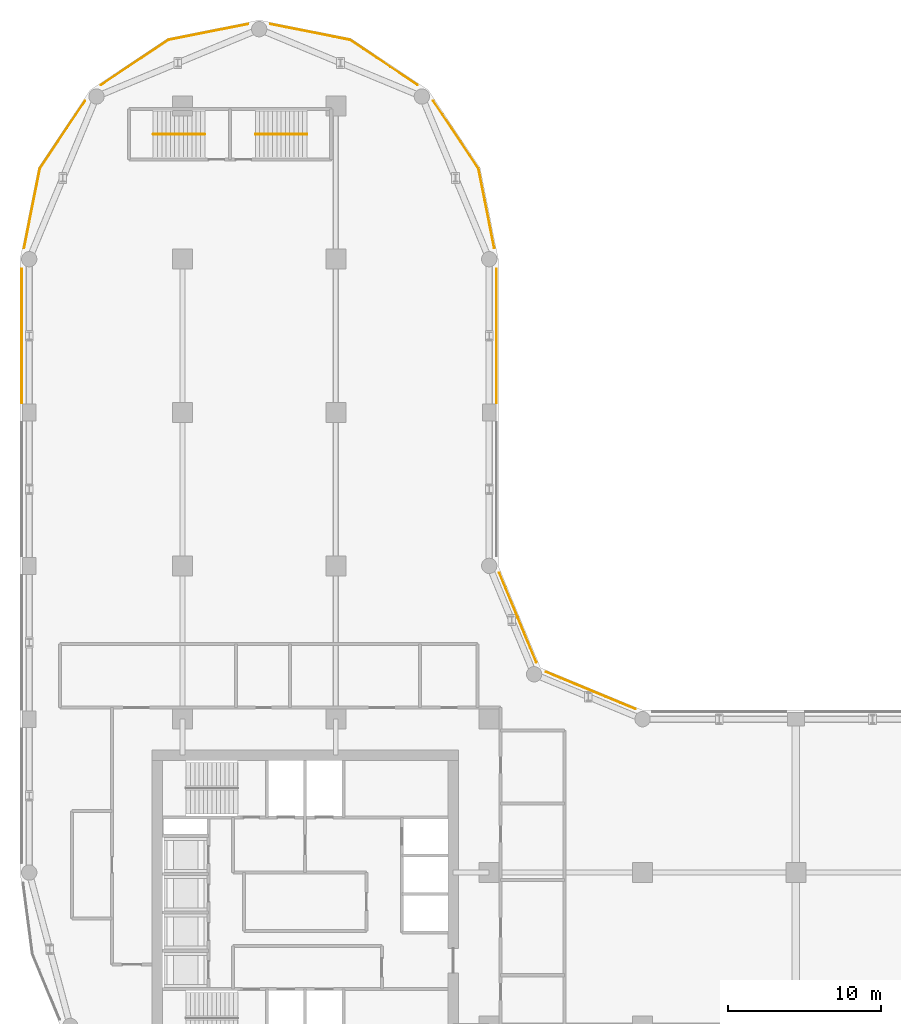
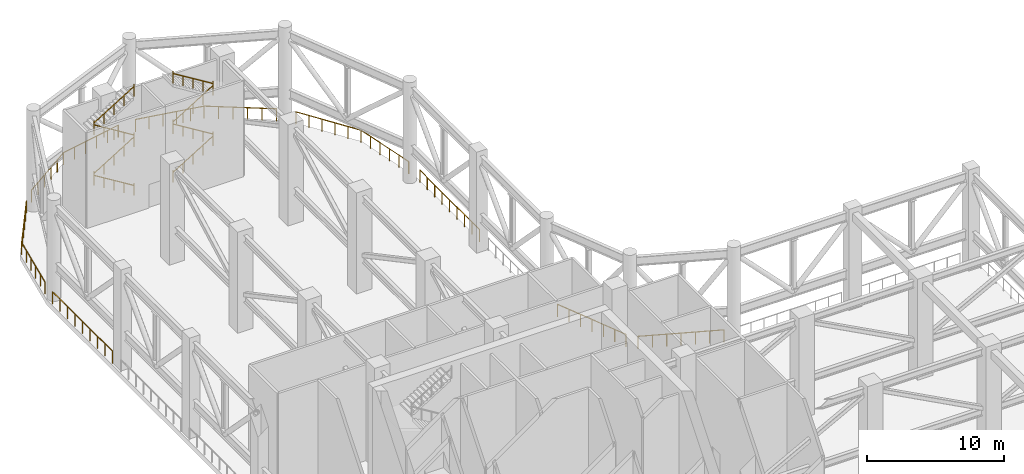
# One storey, part 12 of 13: 16 railings.
"""IFC4 building model written with IfcOpenShell, lengths in metres."""

import ifcopenshell
import ifcopenshell.guid

model = None  # the IFC model being written
_history = None  # IfcOwnerHistory: only IFC2X3 demands one
_inside = {}  # id of a spatial element -> (the spatial element, [elements in it])
_under = {}  # id of a project, library or spatial element -> (it, [spatial elements below it])
_declared = {}  # id of a project -> (the project, [libraries it declares])
_typed = {}  # id of a type object -> (the type object, [elements of that type])
_made_of = {}  # id of a material, layer set ... -> (it, [elements and type objects made of it])


def new_model(schema):
    """Start an empty IFC model of exactly this schema.

    Asked for "IFC4X3", IfcOpenShell would pick the latest addendum, in which some entities
    have other attributes; the version numbers below select the first issue.
    IFC2X3 requires an IfcOwnerHistory on every rooted entity: one is made here for all.
    """
    global model, _history
    if schema == "IFC4X3":
        model = ifcopenshell.file(schema_version=(4, 3, 0, 0))
    else:
        model = ifcopenshell.file(schema=schema)
    _inside.clear()
    _under.clear()
    _declared.clear()
    _typed.clear()
    _made_of.clear()
    _history = None
    if model.schema == "IFC2X3":
        org = make("IfcOrganization", Name="unknown")
        user = make(
            "IfcPersonAndOrganization",
            ThePerson=make("IfcPerson", FamilyName="unknown"),
            TheOrganization=org,
        )
        app = make(
            "IfcApplication",
            ApplicationDeveloper=org,
            Version="unknown",
            ApplicationFullName="unknown",
            ApplicationIdentifier="unknown",
        )
        _history = make(
            "IfcOwnerHistory",
            OwningUser=user,
            OwningApplication=app,
            ChangeAction="ADDED",
            CreationDate=0,
        )
    return model


def make(cls, **values):
    """One entity of the class cls with the attributes given. An attribute that is None is left unset."""
    return model.create_entity(
        cls, **{name: value for name, value in values.items() if value is not None}
    )


def rooted(cls, **values):
    """An entity with a GlobalId (a new one), such as an element, a storey or a relation."""
    return make(cls, GlobalId=ifcopenshell.guid.new(), OwnerHistory=_history, **values)


def si_unit(unit_type, name, prefix=None):
    """IfcSIUnit, for example si_unit("LENGTHUNIT", "METRE", prefix="MILLI")."""
    return make("IfcSIUnit", UnitType=unit_type, Prefix=prefix, Name=name)


def assignment(units):
    """IfcUnitAssignment: the units of a project."""
    return None if units is None else make("IfcUnitAssignment", Units=units)


def point(xyz):
    """IfcCartesianPoint."""
    return None if xyz is None else make("IfcCartesianPoint", Coordinates=xyz)


def direction(xyz):
    """IfcDirection."""
    return None if xyz is None else make("IfcDirection", DirectionRatios=xyz)


def frame(location, z_axis=None, x_axis=None):
    """IfcAxis2Placement3D, a coordinate frame: its origin and axes. An axis left out is left unset."""
    return make(
        "IfcAxis2Placement3D",
        Location=point(location),
        Axis=direction(z_axis),
        RefDirection=direction(x_axis),
    )


def frame_2d(location, x_axis=None):
    """IfcAxis2Placement2D, a coordinate frame in the plane: its origin and x axis."""
    return make(
        "IfcAxis2Placement2D", Location=point(location), RefDirection=direction(x_axis)
    )


def origin():
    """The frame at (0, 0, 0) with its axes left unset."""
    return frame((0.0, 0.0, 0.0))


def origin_2d():
    """The frame at (0, 0) in the plane with its x axis left unset."""
    return frame_2d((0.0, 0.0))


def place(relative_to, where):
    """IfcLocalPlacement: puts the frame where relative to a parent placement (None: the world)."""
    return make(
        "IfcLocalPlacement", PlacementRelTo=relative_to, RelativePlacement=where
    )


def context(
    kind, dimensions, precision=None, world=None, true_north=None, identifier=None
):
    """IfcGeometricRepresentationContext, for example the 3D "Model" context."""
    return make(
        "IfcGeometricRepresentationContext",
        ContextIdentifier=identifier,
        ContextType=kind,
        CoordinateSpaceDimension=dimensions,
        Precision=precision,
        WorldCoordinateSystem=world,
        TrueNorth=true_north,
    )


def subcontext(parent, identifier, kind, view, scale=None):
    """IfcGeometricRepresentationSubContext, for example "Body" below "Model"."""
    return make(
        "IfcGeometricRepresentationSubContext",
        ContextIdentifier=identifier,
        ContextType=kind,
        ParentContext=parent,
        TargetScale=scale,
        TargetView=view,
    )


def project(units=None, contexts=None):
    """IfcProject with its units and contexts."""
    return rooted(
        "IfcProject",
        Name="project",
        RepresentationContexts=contexts,
        UnitsInContext=assignment(units),
    )


def spatial(cls, under=None, at=None, **own):
    """A site, building, storey or space (cls), placed at a placement, below another one or the project."""
    s = rooted(cls, ObjectPlacement=at, **own)
    if under is not None:
        _under.setdefault(under.id(), (under, []))[1].append(s)
    return s


def profile(cls, at=None, kind="AREA", **sizes):
    """A parametric profile (cls). Its sizes go by their IFC names, for example OverallWidth=200.0."""
    return make(cls, ProfileType=kind, Position=at, **sizes)


def circle(**sizes):
    """IfcCircleProfileDef."""
    return profile("IfcCircleProfileDef", **sizes)


def extrude(swept, where, along, depth):
    """IfcExtrudedAreaSolid: the profile swept, set in the frame where, extruded along a direction by depth."""
    return make(
        "IfcExtrudedAreaSolid",
        SweptArea=swept,
        Position=where,
        ExtrudedDirection=direction(along),
        Depth=depth,
    )


def shape(context_of_items, identifier, shape_type, items):
    """IfcShapeRepresentation: the items that make up one representation, for example the "Body"."""
    return make(
        "IfcShapeRepresentation",
        ContextOfItems=context_of_items,
        RepresentationIdentifier=identifier,
        RepresentationType=shape_type,
        Items=items,
    )


def material(Name=None, Category=None):
    """IfcMaterial."""
    return make("IfcMaterial", Name=Name, Category=Category)


def made_of(thing, what):
    """Note that an element or type object is made of a material, layer set ...; save() writes the relation."""
    if what is not None:
        _made_of.setdefault(what.id(), (what, []))[1].append(thing)
    return thing


def type_object(cls, material=None, **own):
    """A type object (cls), such as IfcWallType, which elements share."""
    return made_of(rooted(cls, **own), material)


def element(
    cls,
    number,
    at=None,
    inside=None,
    cuts=None,
    type_object=None,
    material=None,
    context=None,
    identifier="Body",
    shape_type=None,
    held_by="IfcProductDefinitionShape",
    body=None,
    shapes=None,
    **own,
):
    """One element of the class cls, such as IfcWall. Its Tag is "e" and its number.

    at: its placement. inside: the storey or other place that contains it. cuts: it is an
    opening in that element (IfcRelVoidsElement). A single representation is given by context,
    identifier, shape_type and body (its items); several are given by shapes. held_by: the class
    of the entity that holds the representations. save() writes the other relations.
    """
    e = rooted(cls, Tag="e%d" % number, ObjectPlacement=at, **own)
    if body is not None:
        shapes = [shape(context, identifier, shape_type, body)]
    if shapes is not None:
        e.Representation = make(held_by, Representations=shapes)
    if inside is not None:
        _inside.setdefault(inside.id(), (inside, []))[1].append(e)
    if cuts is not None:
        rooted(
            "IfcRelVoidsElement", RelatingBuildingElement=cuts, RelatedOpeningElement=e
        )
    if type_object is not None:
        _typed.setdefault(type_object.id(), (type_object, []))[1].append(e)
    return made_of(e, material)


def aggregate(whole, parts):
    """IfcRelAggregates: a whole, such as a stair, and the parts it consists of."""
    return rooted("IfcRelAggregates", RelatingObject=whole, RelatedObjects=parts)


def save(model, path):
    """Write the relations noted so far, then the file.

    IfcRelAggregates (storeys below a building ...), IfcRelContainedInSpatialStructure (elements
    in a storey), IfcRelDefinesByType, IfcRelAssociatesMaterial and IfcRelDeclares: one each for
    every whole, place, type object, material and project.
    """
    for whole, parts in _under.values():
        aggregate(whole, parts)
    for where, things in _inside.values():
        rooted(
            "IfcRelContainedInSpatialStructure",
            RelatedElements=things,
            RelatingStructure=where,
        )
    for kind, things in _typed.values():
        rooted("IfcRelDefinesByType", RelatedObjects=things, RelatingType=kind)
    for what, things in _made_of.values():
        rooted("IfcRelAssociatesMaterial", RelatedObjects=things, RelatingMaterial=what)
    for by, libraries in _declared.values():
        rooted("IfcRelDeclares", RelatingContext=by, RelatedDefinitions=libraries)
    model.write(path)


model = new_model("IFC4")

# Units and contexts
model_context = context("Model", 3, precision=1e-05, world=origin(), true_north=direction((0.0, 1.0)))
body_context = subcontext(model_context, "Body", "Model", "MODEL_VIEW")
ifc_project = project(units=[si_unit("LENGTHUNIT", "METRE"), si_unit("AREAUNIT", "SQUARE_METRE"), si_unit("VOLUMEUNIT", "CUBIC_METRE"), si_unit("PLANEANGLEUNIT", "RADIAN"), si_unit("MASSUNIT", "GRAM", prefix="KILO")], contexts=[model_context])

# Site, building, storey
site_placement = place(None, origin())
site = spatial("IfcSite", under=ifc_project, at=site_placement, CompositionType="ELEMENT")
building_placement = place(site_placement, origin())
building = spatial("IfcBuilding", under=site, at=building_placement, Name="Qaws Garden Tower", CompositionType="ELEMENT")
storey_placement = place(building_placement, frame((0.0, 0.0, 237.0)))
storey = spatial("IfcBuildingStorey", under=building, at=storey_placement, Name="L58", CompositionType="ELEMENT", Elevation=237.0)

# Railings
ifc_material_1 = material(Name="Steel S355", Category="steel")
railing_type_1 = type_object("IfcRailingType", Name="Guard steel balustrade 1100", PredefinedType="GUARDRAIL", material=ifc_material_1)
railing_1_placement = place(storey_placement, frame((33.71533203125, 33.0732421875, 0.0)))
element("IfcRailing", 1, at=railing_1_placement, inside=storey, type_object=railing_type_1, Name="Wind floor edge guard", PredefinedType="GUARDRAIL", context=body_context, shape_type="SweptSolid", body=[
    extrude(circle(Radius=0.02392578125, at=origin_2d()), frame((0.0, 0.0, 1.076171875), z_axis=(0.923888593297, -0.382661556961, 0.0), x_axis=(0.382661556961, 0.923888593297, 0.0)), (0.0, 0.0, 1.0), 6.311279296875),
    extrude(circle(Radius=0.02099609375, at=origin_2d()), origin(), (0.0, 0.0, 1.0), 1.052001953125),
    extrude(circle(Radius=0.02099609375, at=origin_2d()), frame((0.9716796875, -0.402587890625, 0.0)), (0.0, 0.0, 1.0), 1.052001953125),
    extrude(circle(Radius=0.02099609375, at=origin_2d()), frame((1.943603515625, -0.804931640625, 0.0)), (0.0, 0.0, 1.0), 1.052001953125),
    extrude(circle(Radius=0.02099609375, at=origin_2d()), frame((2.91552734375, -1.20751953125, 0.0)), (0.0, 0.0, 1.0), 1.052001953125),
    extrude(circle(Radius=0.02099609375, at=origin_2d()), frame((3.88720703125, -1.610107421875, 0.0)), (0.0, 0.0, 1.0), 1.052001953125),
    extrude(circle(Radius=0.02099609375, at=origin_2d()), frame((4.85888671875, -2.012451171875, 0.0)), (0.0, 0.0, 1.0), 1.052001953125),
    extrude(circle(Radius=0.02099609375, at=origin_2d()), frame((5.830810546875, -2.4150390625, 0.0)), (0.0, 0.0, 1.0), 1.052001953125),
])
railing_2_placement = place(storey_placement, frame((30.658203125, 39.546142578125, 0.0)))
element("IfcRailing", 2, at=railing_2_placement, inside=storey, type_object=railing_type_1, Name="Wind floor edge guard", PredefinedType="GUARDRAIL", context=body_context, shape_type="SweptSolid", body=[
    extrude(circle(Radius=0.02392578125, at=origin_2d()), frame((0.0, 0.0, 1.076171875), z_axis=(0.382661556961, -0.923888593297, 0.0), x_axis=(0.923888593297, 0.382661556961, 0.0)), (0.0, 0.0, 1.0), 6.311279296875),
    extrude(circle(Radius=0.02099609375, at=origin_2d()), origin(), (0.0, 0.0, 1.0), 1.052001953125),
    extrude(circle(Radius=0.02099609375, at=origin_2d()), frame((0.402587890625, -0.9716796875, 0.0)), (0.0, 0.0, 1.0), 1.052001953125),
    extrude(circle(Radius=0.02099609375, at=origin_2d()), frame((0.804931640625, -1.943603515625, 0.0)), (0.0, 0.0, 1.0), 1.052001953125),
    extrude(circle(Radius=0.02099609375, at=origin_2d()), frame((1.20751953125, -2.91552734375, 0.0)), (0.0, 0.0, 1.0), 1.052001953125),
    extrude(circle(Radius=0.02099609375, at=origin_2d()), frame((1.610107421875, -3.88720703125, 0.0)), (0.0, 0.0, 1.0), 1.052001953125),
    extrude(circle(Radius=0.02099609375, at=origin_2d()), frame((2.012451171875, -4.85888671875, 0.0)), (0.0, 0.0, 1.0), 1.052001953125),
    extrude(circle(Radius=0.02099609375, at=origin_2d()), frame((2.4150390625, -5.830810546875, 0.0)), (0.0, 0.0, 1.0), 1.052001953125),
])
railing_3_placement = place(storey_placement, frame((-0.47998046875, 50.638916015625, 0.0)))
element("IfcRailing", 3, at=railing_3_placement, inside=storey, type_object=railing_type_1, Name="Wind floor edge guard", PredefinedType="GUARDRAIL", context=body_context, shape_type="SweptSolid", body=[
    extrude(circle(Radius=0.02392578125, at=origin_2d()), frame((0.0, 0.0, 1.076171875), z_axis=(0.0, 1.0, 0.0), x_axis=(-1.0, 0.0, 0.0)), (0.0, 0.0, 1.0), 8.72216796875),
    extrude(circle(Radius=0.02099609375, at=origin_2d()), origin(), (0.0, 0.0, 1.0), 1.052001953125),
    extrude(circle(Radius=0.02099609375, at=origin_2d()), frame((0.0, 1.09033203125, 0.0)), (0.0, 0.0, 1.0), 1.052001953125),
    extrude(circle(Radius=0.02099609375, at=origin_2d()), frame((0.0, 2.1806640625, 0.0)), (0.0, 0.0, 1.0), 1.052001953125),
    extrude(circle(Radius=0.02099609375, at=origin_2d()), frame((0.0, 3.270751953125, 0.0)), (0.0, 0.0, 1.0), 1.052001953125),
    extrude(circle(Radius=0.02099609375, at=origin_2d()), frame((0.0, 4.361083984375, 0.0)), (0.0, 0.0, 1.0), 1.052001953125),
    extrude(circle(Radius=0.02099609375, at=origin_2d()), frame((0.0, 5.451416015625, 0.0)), (0.0, 0.0, 1.0), 1.052001953125),
    extrude(circle(Radius=0.02099609375, at=origin_2d()), frame((0.0, 6.54150390625, 0.0)), (0.0, 0.0, 1.0), 1.052001953125),
    extrude(circle(Radius=0.02099609375, at=origin_2d()), frame((0.0, 7.6318359375, 0.0)), (0.0, 0.0, 1.0), 1.052001953125),
    extrude(circle(Radius=0.02099609375, at=origin_2d()), frame((0.0, 8.72216796875, 0.0)), (0.0, 0.0, 1.0), 1.052001953125),
])
railing_4_placement = place(storey_placement, frame((30.47998046875, 59.361083984375, 0.0)))
element("IfcRailing", 4, at=railing_4_placement, inside=storey, type_object=railing_type_1, Name="Wind floor edge guard", PredefinedType="GUARDRAIL", context=body_context, shape_type="SweptSolid", body=[
    extrude(circle(Radius=0.02392578125, at=origin_2d()), frame((0.0, 0.0, 1.076171875), z_axis=(0.0, -1.0, 0.0), x_axis=(1.0, 0.0, 0.0)), (0.0, 0.0, 1.0), 8.72216796875),
    extrude(circle(Radius=0.02099609375, at=origin_2d()), origin(), (0.0, 0.0, 1.0), 1.052001953125),
    extrude(circle(Radius=0.02099609375, at=origin_2d()), frame((0.0, -1.09033203125, 0.0)), (0.0, 0.0, 1.0), 1.052001953125),
    extrude(circle(Radius=0.02099609375, at=origin_2d()), frame((0.0, -2.1806640625, 0.0)), (0.0, 0.0, 1.0), 1.052001953125),
    extrude(circle(Radius=0.02099609375, at=origin_2d()), frame((0.0, -3.270751953125, 0.0)), (0.0, 0.0, 1.0), 1.052001953125),
    extrude(circle(Radius=0.02099609375, at=origin_2d()), frame((0.0, -4.361083984375, 0.0)), (0.0, 0.0, 1.0), 1.052001953125),
    extrude(circle(Radius=0.02099609375, at=origin_2d()), frame((0.0, -5.451416015625, 0.0)), (0.0, 0.0, 1.0), 1.052001953125),
    extrude(circle(Radius=0.02099609375, at=origin_2d()), frame((0.0, -6.54150390625, 0.0)), (0.0, 0.0, 1.0), 1.052001953125),
    extrude(circle(Radius=0.02099609375, at=origin_2d()), frame((0.0, -7.6318359375, 0.0)), (0.0, 0.0, 1.0), 1.052001953125),
    extrude(circle(Radius=0.02099609375, at=origin_2d()), frame((0.0, -8.72216796875, 0.0)), (0.0, 0.0, 1.0), 1.052001953125),
])
railing_5_placement = place(storey_placement, frame((-0.333251953125, 60.726318359375, 0.0)))
element("IfcRailing", 5, at=railing_5_placement, inside=storey, type_object=railing_type_1, Name="Wind floor edge guard", PredefinedType="GUARDRAIL", context=body_context, shape_type="SweptSolid", body=[
    extrude(circle(Radius=0.02392578125, at=origin_2d()), frame((0.0, 0.0, 1.076171875), z_axis=(0.195088165617, 0.980785709335, 0.0), x_axis=(-0.980785709335, 0.195088165617, 0.0)), (0.0, 0.0, 1.0), 5.298583984375),
    extrude(circle(Radius=0.02392578125, at=origin_2d()), frame((1.03369140625, 5.19677734375, 1.076171875), z_axis=(0.555593056066, 0.831454361977, 0.0), x_axis=(-0.831454361977, 0.555593056066, 0.0)), (0.0, 0.0, 1.0), 5.298583984375),
    extrude(circle(Radius=0.02099609375, at=origin_2d()), origin(), (0.0, 0.0, 1.0), 1.052001953125),
    extrude(circle(Radius=0.02099609375, at=origin_2d()), frame((0.206787109375, 1.039306640625, 0.0)), (0.0, 0.0, 1.0), 1.052001953125),
    extrude(circle(Radius=0.02099609375, at=origin_2d()), frame((0.41357421875, 2.07861328125, 0.0)), (0.0, 0.0, 1.0), 1.052001953125),
    extrude(circle(Radius=0.02099609375, at=origin_2d()), frame((0.6201171875, 3.1181640625, 0.0)), (0.0, 0.0, 1.0), 1.052001953125),
    extrude(circle(Radius=0.02099609375, at=origin_2d()), frame((0.826904296875, 4.157470703125, 0.0)), (0.0, 0.0, 1.0), 1.052001953125),
    extrude(circle(Radius=0.02099609375, at=origin_2d()), frame((1.03369140625, 5.19677734375, 0.0)), (0.0, 0.0, 1.0), 1.052001953125),
    extrude(circle(Radius=0.02099609375, at=origin_2d()), frame((1.62255859375, 6.077880859375, 0.0)), (0.0, 0.0, 1.0), 1.052001953125),
    extrude(circle(Radius=0.02099609375, at=origin_2d()), frame((2.211181640625, 6.958984375, 0.0)), (0.0, 0.0, 1.0), 1.052001953125),
    extrude(circle(Radius=0.02099609375, at=origin_2d()), frame((2.800048828125, 7.840087890625, 0.0)), (0.0, 0.0, 1.0), 1.052001953125),
    extrude(circle(Radius=0.02099609375, at=origin_2d()), frame((3.388671875, 8.72119140625, 0.0)), (0.0, 0.0, 1.0), 1.052001953125),
    extrude(circle(Radius=0.02099609375, at=origin_2d()), frame((3.9775390625, 9.602294921875, 0.0)), (0.0, 0.0, 1.0), 1.052001953125),
])
railing_6_placement = place(storey_placement, frame((26.355712890625, 70.32861328125, 0.0)))
element("IfcRailing", 6, at=railing_6_placement, inside=storey, type_object=railing_type_1, Name="Wind floor edge guard", PredefinedType="GUARDRAIL", context=body_context, shape_type="SweptSolid", body=[
    extrude(circle(Radius=0.02392578125, at=origin_2d()), frame((0.0, 0.0, 1.076171875), z_axis=(0.555593056066, -0.831454361977, 0.0), x_axis=(0.831454361977, 0.555593056066, 0.0)), (0.0, 0.0, 1.0), 5.298583984375),
    extrude(circle(Radius=0.02392578125, at=origin_2d()), frame((2.94384765625, -4.405517578125, 1.076171875), z_axis=(0.195088165617, -0.980785709335, 0.0), x_axis=(0.980785709335, 0.195088165617, 0.0)), (0.0, 0.0, 1.0), 5.298583984375),
    extrude(circle(Radius=0.02099609375, at=origin_2d()), origin(), (0.0, 0.0, 1.0), 1.052001953125),
    extrude(circle(Radius=0.02099609375, at=origin_2d()), frame((0.5888671875, -0.881103515625, 0.0)), (0.0, 0.0, 1.0), 1.052001953125),
    extrude(circle(Radius=0.02099609375, at=origin_2d()), frame((1.177490234375, -1.76220703125, 0.0)), (0.0, 0.0, 1.0), 1.052001953125),
    extrude(circle(Radius=0.02099609375, at=origin_2d()), frame((1.766357421875, -2.643310546875, 0.0)), (0.0, 0.0, 1.0), 1.052001953125),
    extrude(circle(Radius=0.02099609375, at=origin_2d()), frame((2.35498046875, -3.5244140625, 0.0)), (0.0, 0.0, 1.0), 1.052001953125),
    extrude(circle(Radius=0.02099609375, at=origin_2d()), frame((2.94384765625, -4.405517578125, 0.0)), (0.0, 0.0, 1.0), 1.052001953125),
    extrude(circle(Radius=0.02099609375, at=origin_2d()), frame((3.150634765625, -5.44482421875, 0.0)), (0.0, 0.0, 1.0), 1.052001953125),
    extrude(circle(Radius=0.02099609375, at=origin_2d()), frame((3.357421875, -6.484130859375, 0.0)), (0.0, 0.0, 1.0), 1.052001953125),
    extrude(circle(Radius=0.02099609375, at=origin_2d()), frame((3.56396484375, -7.523681640625, 0.0)), (0.0, 0.0, 1.0), 1.052001953125),
    extrude(circle(Radius=0.02099609375, at=origin_2d()), frame((3.770751953125, -8.56298828125, 0.0)), (0.0, 0.0, 1.0), 1.052001953125),
    extrude(circle(Radius=0.02099609375, at=origin_2d()), frame((3.9775390625, -9.602294921875, 0.0)), (0.0, 0.0, 1.0), 1.052001953125),
])
railing_7_placement = place(storey_placement, frame((4.67138671875, 71.355712890625, 0.0)))
element("IfcRailing", 7, at=railing_7_placement, inside=storey, type_object=railing_type_1, Name="Wind floor edge guard", PredefinedType="GUARDRAIL", context=body_context, shape_type="SweptSolid", body=[
    extrude(circle(Radius=0.02392578125, at=origin_2d()), frame((0.0, 0.0, 1.076171875), z_axis=(0.831454361977, 0.555593056066, 0.0), x_axis=(-0.555593056066, 0.831454361977, 0.0)), (0.0, 0.0, 1.0), 5.298583984375),
    extrude(circle(Radius=0.02392578125, at=origin_2d()), frame((4.405517578125, 2.94384765625, 1.076171875), z_axis=(0.980785709335, 0.195088165617, 0.0), x_axis=(-0.195088165617, 0.980785709335, 0.0)), (0.0, 0.0, 1.0), 5.298583984375),
    extrude(circle(Radius=0.02099609375, at=origin_2d()), origin(), (0.0, 0.0, 1.0), 1.052001953125),
    extrude(circle(Radius=0.02099609375, at=origin_2d()), frame((0.881103515625, 0.5888671875, 0.0)), (0.0, 0.0, 1.0), 1.052001953125),
    extrude(circle(Radius=0.02099609375, at=origin_2d()), frame((1.76220703125, 1.177490234375, 0.0)), (0.0, 0.0, 1.0), 1.052001953125),
    extrude(circle(Radius=0.02099609375, at=origin_2d()), frame((2.643310546875, 1.766357421875, 0.0)), (0.0, 0.0, 1.0), 1.052001953125),
    extrude(circle(Radius=0.02099609375, at=origin_2d()), frame((3.5244140625, 2.35498046875, 0.0)), (0.0, 0.0, 1.0), 1.052001953125),
    extrude(circle(Radius=0.02099609375, at=origin_2d()), frame((4.405517578125, 2.94384765625, 0.0)), (0.0, 0.0, 1.0), 1.052001953125),
    extrude(circle(Radius=0.02099609375, at=origin_2d()), frame((5.44482421875, 3.150634765625, 0.0)), (0.0, 0.0, 1.0), 1.052001953125),
    extrude(circle(Radius=0.02099609375, at=origin_2d()), frame((6.484130859375, 3.357421875, 0.0)), (0.0, 0.0, 1.0), 1.052001953125),
    extrude(circle(Radius=0.02099609375, at=origin_2d()), frame((7.523681640625, 3.56396484375, 0.0)), (0.0, 0.0, 1.0), 1.052001953125),
    extrude(circle(Radius=0.02099609375, at=origin_2d()), frame((8.56298828125, 3.770751953125, 0.0)), (0.0, 0.0, 1.0), 1.052001953125),
    extrude(circle(Radius=0.02099609375, at=origin_2d()), frame((9.602294921875, 3.9775390625, 0.0)), (0.0, 0.0, 1.0), 1.052001953125),
])
railing_8_placement = place(storey_placement, frame((15.726318359375, 75.333251953125, 0.0)))
element("IfcRailing", 8, at=railing_8_placement, inside=storey, type_object=railing_type_1, Name="Wind floor edge guard", PredefinedType="GUARDRAIL", context=body_context, shape_type="SweptSolid", body=[
    extrude(circle(Radius=0.02392578125, at=origin_2d()), frame((0.0, 0.0, 1.076171875), z_axis=(0.980785709335, -0.195088165617, 0.0), x_axis=(0.195088165617, 0.980785709335, 0.0)), (0.0, 0.0, 1.0), 5.298583984375),
    extrude(circle(Radius=0.02392578125, at=origin_2d()), frame((5.19677734375, -1.03369140625, 1.076171875), z_axis=(0.831454361977, -0.555593056066, 0.0), x_axis=(0.555593056066, 0.831454361977, 0.0)), (0.0, 0.0, 1.0), 5.298583984375),
    extrude(circle(Radius=0.02099609375, at=origin_2d()), origin(), (0.0, 0.0, 1.0), 1.052001953125),
    extrude(circle(Radius=0.02099609375, at=origin_2d()), frame((1.039306640625, -0.206787109375, 0.0)), (0.0, 0.0, 1.0), 1.052001953125),
    extrude(circle(Radius=0.02099609375, at=origin_2d()), frame((2.07861328125, -0.41357421875, 0.0)), (0.0, 0.0, 1.0), 1.052001953125),
    extrude(circle(Radius=0.02099609375, at=origin_2d()), frame((3.1181640625, -0.6201171875, 0.0)), (0.0, 0.0, 1.0), 1.052001953125),
    extrude(circle(Radius=0.02099609375, at=origin_2d()), frame((4.157470703125, -0.826904296875, 0.0)), (0.0, 0.0, 1.0), 1.052001953125),
    extrude(circle(Radius=0.02099609375, at=origin_2d()), frame((5.19677734375, -1.03369140625, 0.0)), (0.0, 0.0, 1.0), 1.052001953125),
    extrude(circle(Radius=0.02099609375, at=origin_2d()), frame((6.077880859375, -1.62255859375, 0.0)), (0.0, 0.0, 1.0), 1.052001953125),
    extrude(circle(Radius=0.02099609375, at=origin_2d()), frame((6.958984375, -2.211181640625, 0.0)), (0.0, 0.0, 1.0), 1.052001953125),
    extrude(circle(Radius=0.02099609375, at=origin_2d()), frame((7.840087890625, -2.800048828125, 0.0)), (0.0, 0.0, 1.0), 1.052001953125),
    extrude(circle(Radius=0.02099609375, at=origin_2d()), frame((8.72119140625, -3.388671875, 0.0)), (0.0, 0.0, 1.0), 1.052001953125),
    extrude(circle(Radius=0.02099609375, at=origin_2d()), frame((9.602294921875, -3.9775390625, 0.0)), (0.0, 0.0, 1.0), 1.052001953125),
])
ifc_material_2 = material(Name="Steel S355", Category="steel")
railing_type_2 = type_object("IfcRailingType", Name="Stair handrail 900", PredefinedType="HANDRAIL", material=ifc_material_2)
railing_9_placement = place(storey_placement, frame((11.449951171875, 68.14990234375, 0.173095703125)))
element("IfcRailing", 9, at=railing_9_placement, inside=storey, type_object=railing_type_2, Name="Stair 6 handrail", PredefinedType="HANDRAIL", context=body_context, shape_type="SweptSolid", body=[
    extrude(circle(Radius=0.02392578125, at=origin_2d()), frame((0.0, 0.0, 0.8759765625), z_axis=(-0.850606129759, 0.0, 0.525803396734), x_axis=(0.0, -1.0, 0.0)), (0.0, 0.0, 1.0), 3.949951171875),
    extrude(circle(Radius=0.02099609375, at=origin_2d()), origin(), (0.0, 0.0, 1.0), 1.072998046875),
    extrude(circle(Radius=0.02099609375, at=origin_2d()), frame((-0.83984375, 0.0, 0.519287109375)), (0.0, 0.0, 1.0), 0.851806640625),
    extrude(circle(Radius=0.02099609375, at=origin_2d()), frame((-1.679931640625, 0.0, 1.03857421875)), (0.0, 0.0, 1.0), 0.851806640625),
    extrude(circle(Radius=0.02099609375, at=origin_2d()), frame((-2.52001953125, 0.0, 1.5576171875)), (0.0, 0.0, 1.0), 0.851806640625),
    extrude(circle(Radius=0.02099609375, at=origin_2d()), frame((-3.35986328125, 0.0, 2.076904296875)), (0.0, 0.0, 1.0), 1.072998046875),
])
railing_10_placement = place(storey_placement, frame((8.090087890625, 68.14990234375, 2.423095703125)))
element("IfcRailing", 10, at=railing_10_placement, inside=storey, type_object=railing_type_2, Name="Stair 6 handrail", PredefinedType="HANDRAIL", context=body_context, shape_type="SweptSolid", body=[
    extrude(circle(Radius=0.02392578125, at=origin_2d()), frame((0.0, 0.0, 0.8759765625), z_axis=(0.850606129759, 0.0, 0.525803396734), x_axis=(0.0, 1.0, 0.0)), (0.0, 0.0, 1.0), 3.949951171875),
    extrude(circle(Radius=0.02099609375, at=origin_2d()), origin(), (0.0, 0.0, 1.0), 1.072998046875),
    extrude(circle(Radius=0.02099609375, at=origin_2d()), frame((0.83984375, 0.0, 0.519287109375)), (0.0, 0.0, 1.0), 0.851806640625),
    extrude(circle(Radius=0.02099609375, at=origin_2d()), frame((1.679931640625, 0.0, 1.03857421875)), (0.0, 0.0, 1.0), 0.851806640625),
    extrude(circle(Radius=0.02099609375, at=origin_2d()), frame((2.52001953125, 0.0, 1.5576171875)), (0.0, 0.0, 1.0), 0.851806640625),
    extrude(circle(Radius=0.02099609375, at=origin_2d()), frame((3.35986328125, 0.0, 2.076904296875)), (0.0, 0.0, 1.0), 1.072998046875),
])
railing_11_placement = place(storey_placement, frame((11.449951171875, 68.14990234375, 4.673095703125)))
element("IfcRailing", 11, at=railing_11_placement, inside=storey, type_object=railing_type_2, Name="Stair 6 handrail", PredefinedType="HANDRAIL", context=body_context, shape_type="SweptSolid", body=[
    extrude(circle(Radius=0.02392578125, at=origin_2d()), frame((0.0, 0.0, 0.8759765625), z_axis=(-0.850606129759, 0.0, 0.525803396734), x_axis=(0.0, -1.0, 0.0)), (0.0, 0.0, 1.0), 3.949951171875),
    extrude(circle(Radius=0.02099609375, at=origin_2d()), origin(), (0.0, 0.0, 1.0), 1.072998046875),
    extrude(circle(Radius=0.02099609375, at=origin_2d()), frame((-0.83984375, 0.0, 0.519287109375)), (0.0, 0.0, 1.0), 0.851806640625),
    extrude(circle(Radius=0.02099609375, at=origin_2d()), frame((-1.679931640625, 0.0, 1.03857421875)), (0.0, 0.0, 1.0), 0.851806640625),
    extrude(circle(Radius=0.02099609375, at=origin_2d()), frame((-2.52001953125, 0.0, 1.5576171875)), (0.0, 0.0, 1.0), 0.851806640625),
    extrude(circle(Radius=0.02099609375, at=origin_2d()), frame((-3.35986328125, 0.0, 2.076904296875)), (0.0, 0.0, 1.0), 1.072998046875),
])
railing_12_placement = place(storey_placement, frame((8.090087890625, 68.14990234375, 6.923095703125)))
element("IfcRailing", 12, at=railing_12_placement, inside=storey, type_object=railing_type_2, Name="Stair 6 handrail", PredefinedType="HANDRAIL", context=body_context, shape_type="SweptSolid", body=[
    extrude(circle(Radius=0.02392578125, at=origin_2d()), frame((0.0, 0.0, 0.8759765625), z_axis=(0.850606129759, 0.0, 0.525803396734), x_axis=(0.0, 1.0, 0.0)), (0.0, 0.0, 1.0), 3.949951171875),
    extrude(circle(Radius=0.02099609375, at=origin_2d()), origin(), (0.0, 0.0, 1.0), 1.072998046875),
    extrude(circle(Radius=0.02099609375, at=origin_2d()), frame((0.83984375, 0.0, 0.519287109375)), (0.0, 0.0, 1.0), 0.851806640625),
    extrude(circle(Radius=0.02099609375, at=origin_2d()), frame((1.679931640625, 0.0, 1.03857421875)), (0.0, 0.0, 1.0), 0.851806640625),
    extrude(circle(Radius=0.02099609375, at=origin_2d()), frame((2.52001953125, 0.0, 1.5576171875)), (0.0, 0.0, 1.0), 0.851806640625),
    extrude(circle(Radius=0.02099609375, at=origin_2d()), frame((3.35986328125, 0.0, 2.076904296875)), (0.0, 0.0, 1.0), 1.072998046875),
])
railing_13_placement = place(storey_placement, frame((14.75, 68.14990234375, 0.173095703125)))
element("IfcRailing", 13, at=railing_13_placement, inside=storey, type_object=railing_type_2, Name="Stair 7 handrail", PredefinedType="HANDRAIL", context=body_context, shape_type="SweptSolid", body=[
    extrude(circle(Radius=0.02392578125, at=origin_2d()), frame((0.0, 0.0, 0.8759765625), z_axis=(0.850623216509, 0.0, 0.525775754039), x_axis=(0.0, 1.0, 0.0)), (0.0, 0.0, 1.0), 3.9501953125),
    extrude(circle(Radius=0.02099609375, at=origin_2d()), origin(), (0.0, 0.0, 1.0), 1.072998046875),
    extrude(circle(Radius=0.02099609375, at=origin_2d()), frame((0.840087890625, 0.0, 0.519287109375)), (0.0, 0.0, 1.0), 0.851806640625),
    extrude(circle(Radius=0.02099609375, at=origin_2d()), frame((1.68017578125, 0.0, 1.03857421875)), (0.0, 0.0, 1.0), 0.851806640625),
    extrude(circle(Radius=0.02099609375, at=origin_2d()), frame((2.52001953125, 0.0, 1.5576171875)), (0.0, 0.0, 1.0), 0.851806640625),
    extrude(circle(Radius=0.02099609375, at=origin_2d()), frame((3.360107421875, 0.0, 2.076904296875)), (0.0, 0.0, 1.0), 1.072998046875),
])
railing_14_placement = place(storey_placement, frame((18.110107421875, 68.14990234375, 2.423095703125)))
element("IfcRailing", 14, at=railing_14_placement, inside=storey, type_object=railing_type_2, Name="Stair 7 handrail", PredefinedType="HANDRAIL", context=body_context, shape_type="SweptSolid", body=[
    extrude(circle(Radius=0.02392578125, at=origin_2d()), frame((0.0, 0.0, 0.8759765625), z_axis=(-0.850623216509, 0.0, 0.525775754039), x_axis=(0.0, -1.0, 0.0)), (0.0, 0.0, 1.0), 3.9501953125),
    extrude(circle(Radius=0.02099609375, at=origin_2d()), origin(), (0.0, 0.0, 1.0), 1.072998046875),
    extrude(circle(Radius=0.02099609375, at=origin_2d()), frame((-0.840087890625, 0.0, 0.519287109375)), (0.0, 0.0, 1.0), 0.851806640625),
    extrude(circle(Radius=0.02099609375, at=origin_2d()), frame((-1.68017578125, 0.0, 1.03857421875)), (0.0, 0.0, 1.0), 0.851806640625),
    extrude(circle(Radius=0.02099609375, at=origin_2d()), frame((-2.52001953125, 0.0, 1.5576171875)), (0.0, 0.0, 1.0), 0.851806640625),
    extrude(circle(Radius=0.02099609375, at=origin_2d()), frame((-3.360107421875, 0.0, 2.076904296875)), (0.0, 0.0, 1.0), 1.072998046875),
])
railing_15_placement = place(storey_placement, frame((14.75, 68.14990234375, 4.673095703125)))
element("IfcRailing", 15, at=railing_15_placement, inside=storey, type_object=railing_type_2, Name="Stair 7 handrail", PredefinedType="HANDRAIL", context=body_context, shape_type="SweptSolid", body=[
    extrude(circle(Radius=0.02392578125, at=origin_2d()), frame((0.0, 0.0, 0.8759765625), z_axis=(0.850623216509, 0.0, 0.525775754039), x_axis=(0.0, 1.0, 0.0)), (0.0, 0.0, 1.0), 3.9501953125),
    extrude(circle(Radius=0.02099609375, at=origin_2d()), origin(), (0.0, 0.0, 1.0), 1.072998046875),
    extrude(circle(Radius=0.02099609375, at=origin_2d()), frame((0.840087890625, 0.0, 0.519287109375)), (0.0, 0.0, 1.0), 0.851806640625),
    extrude(circle(Radius=0.02099609375, at=origin_2d()), frame((1.68017578125, 0.0, 1.03857421875)), (0.0, 0.0, 1.0), 0.851806640625),
    extrude(circle(Radius=0.02099609375, at=origin_2d()), frame((2.52001953125, 0.0, 1.5576171875)), (0.0, 0.0, 1.0), 0.851806640625),
    extrude(circle(Radius=0.02099609375, at=origin_2d()), frame((3.360107421875, 0.0, 2.076904296875)), (0.0, 0.0, 1.0), 1.072998046875),
])
railing_16_placement = place(storey_placement, frame((18.110107421875, 68.14990234375, 6.923095703125)))
element("IfcRailing", 16, at=railing_16_placement, inside=storey, type_object=railing_type_2, Name="Stair 7 handrail", PredefinedType="HANDRAIL", context=body_context, shape_type="SweptSolid", body=[
    extrude(circle(Radius=0.02392578125, at=origin_2d()), frame((0.0, 0.0, 0.8759765625), z_axis=(-0.850623216509, 0.0, 0.525775754039), x_axis=(0.0, -1.0, 0.0)), (0.0, 0.0, 1.0), 3.9501953125),
    extrude(circle(Radius=0.02099609375, at=origin_2d()), origin(), (0.0, 0.0, 1.0), 1.072998046875),
    extrude(circle(Radius=0.02099609375, at=origin_2d()), frame((-0.840087890625, 0.0, 0.519287109375)), (0.0, 0.0, 1.0), 0.851806640625),
    extrude(circle(Radius=0.02099609375, at=origin_2d()), frame((-1.68017578125, 0.0, 1.03857421875)), (0.0, 0.0, 1.0), 0.851806640625),
    extrude(circle(Radius=0.02099609375, at=origin_2d()), frame((-2.52001953125, 0.0, 1.5576171875)), (0.0, 0.0, 1.0), 0.851806640625),
    extrude(circle(Radius=0.02099609375, at=origin_2d()), frame((-3.360107421875, 0.0, 2.076904296875)), (0.0, 0.0, 1.0), 1.072998046875),
])

save(model, "model.ifc")
